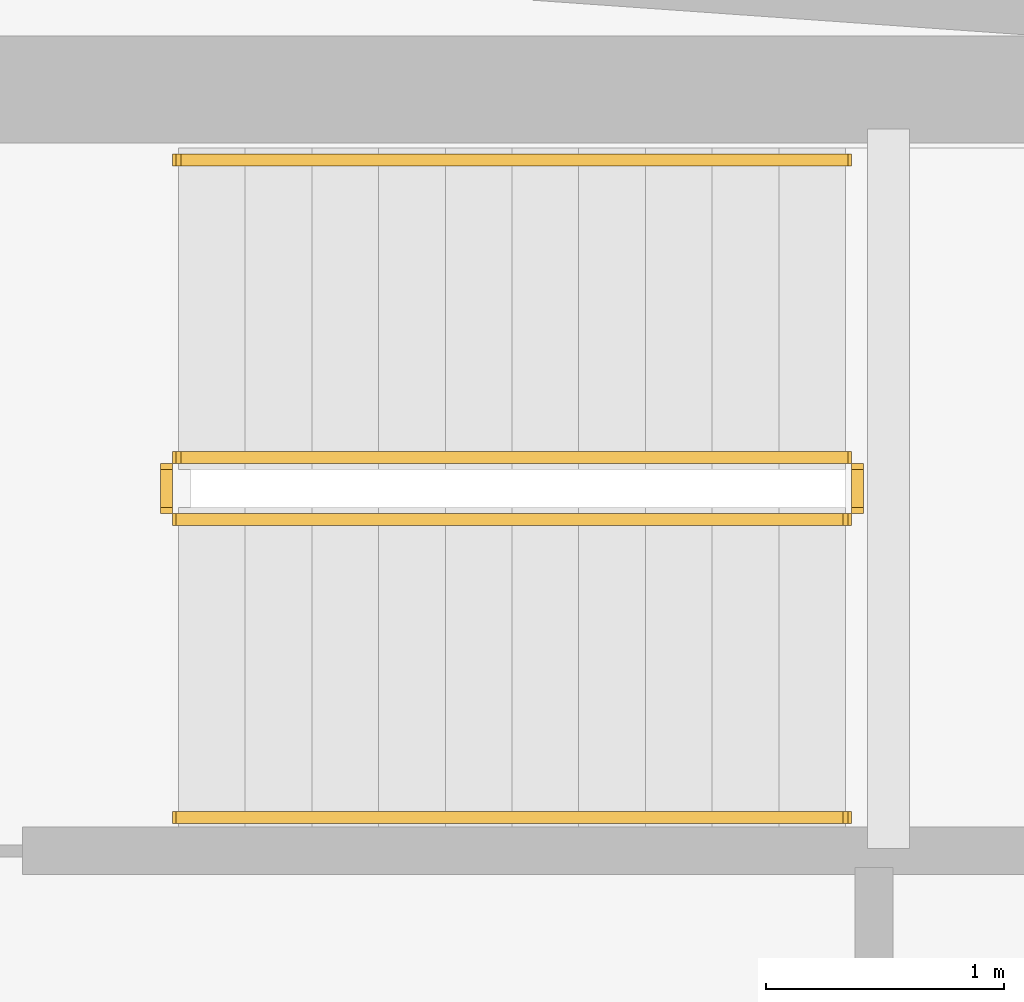
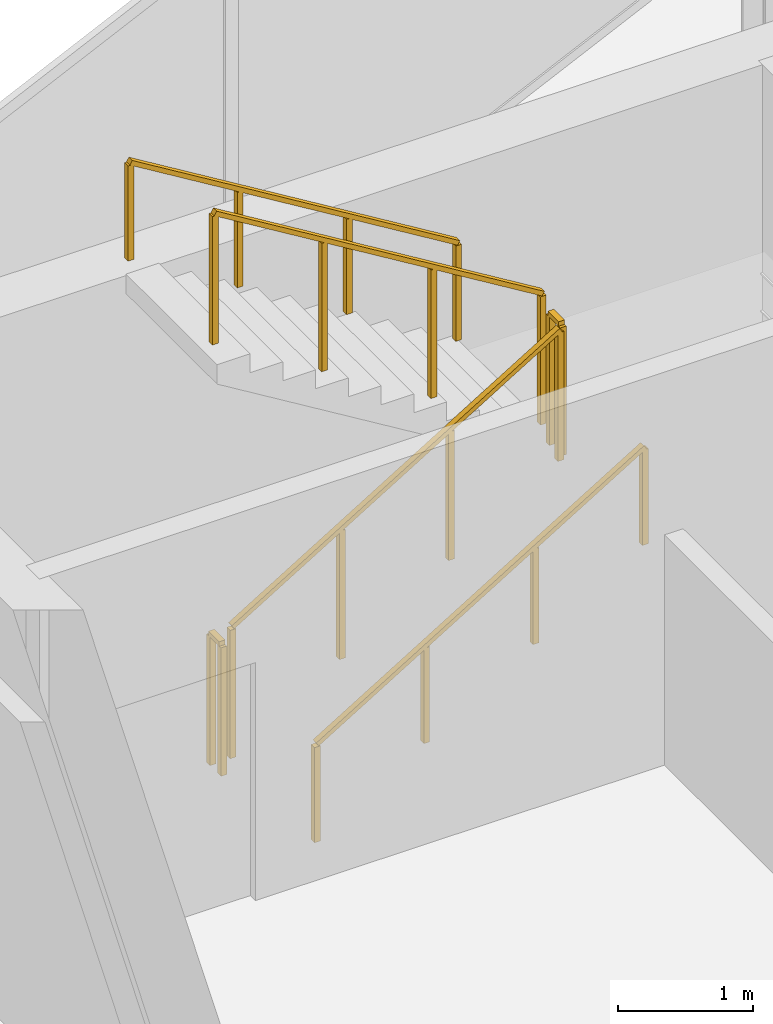
# One storey, part 14 of 14: 6 railings.
"""IFC4 building model written with IfcOpenShell, lengths in metres."""

from ifc_helpers import new_model, si_unit, direction, frame, origin, origin_2d, place, context, subcontext, project, spatial, rectangle, extrude, material, type_object, element, save


model = new_model("IFC4")

# Units and contexts
model_context = context("Model", 3, precision=1e-05, world=origin(), true_north=direction((0.0, 1.0)))
body_context = subcontext(model_context, "Body", "Model", "MODEL_VIEW")
ifc_project = project(units=[si_unit("LENGTHUNIT", "METRE"), si_unit("AREAUNIT", "SQUARE_METRE"), si_unit("VOLUMEUNIT", "CUBIC_METRE"), si_unit("PLANEANGLEUNIT", "RADIAN"), si_unit("MASSUNIT", "GRAM", prefix="KILO")], contexts=[model_context])

# Site, building, storey
site_placement = place(None, origin())
site = spatial("IfcSite", under=ifc_project, at=site_placement, CompositionType="ELEMENT")
building_placement = place(site_placement, origin())
building = spatial("IfcBuilding", under=site, at=building_placement, Name="Qianvela Tower", CompositionType="ELEMENT")
storey_placement = place(building_placement, frame((0.0, 0.0, 356.300048828125)))
storey = spatial("IfcBuildingStorey", under=building, at=storey_placement, Name="L92", CompositionType="ELEMENT", Elevation=356.300048828125)

# Railings
ifc_material_1 = material(Name="Painted Tubular Steel Q355B", Category="steel")
railing_type_1 = type_object("IfcRailingType", Name="RL-STAIR-GUARD-1200", PredefinedType="GUARDRAIL", material=ifc_material_1)
railing_1_placement = place(storey_placement, frame((32.199951171875, 30.840087890625, 0.17041015625)))
element("IfcRailing", 1, at=railing_1_placement, inside=storey, type_object=railing_type_1, Name="L92 ST-1 stair guard 1", PredefinedType="GUARDRAIL", context=body_context, shape_type="SweptSolid", body=[
    extrude(rectangle(XDim=0.050048828125, YDim=0.0400390625, at=origin_2d()), frame((0.0, 0.0, 1.179931640625), z_axis=(0.854169791009, 0.0, 0.51999420009), x_axis=(0.0, 1.0, 0.0)), (0.0, 0.0, 1.0), 3.278076171875),
    extrude(rectangle(XDim=0.050048828125, YDim=0.050048828125, at=origin_2d()), origin(), (0.0, 0.0, 1.0), 1.159912109375),
    extrude(rectangle(XDim=0.050048828125, YDim=0.050048828125, at=origin_2d()), frame((0.933349609375, 0.0, 0.568115234375)), (0.0, 0.0, 1.0), 1.159912109375),
    extrude(rectangle(XDim=0.050048828125, YDim=0.050048828125, at=origin_2d()), frame((1.86669921875, 0.0, 1.136474609375)), (0.0, 0.0, 1.0), 1.159912109375),
    extrude(rectangle(XDim=0.050048828125, YDim=0.050048828125, at=origin_2d()), frame((2.800048828125, 0.0, 1.70458984375)), (0.0, 0.0, 1.0), 1.159912109375),
])
railing_2_placement = place(storey_placement, frame((35.050048828125, 30.889892578125, 1.875)))
element("IfcRailing", 2, at=railing_2_placement, inside=storey, type_object=railing_type_1, Name="L92 ST-1 stair guard 2", PredefinedType="GUARDRAIL", context=body_context, shape_type="SweptSolid", body=[
    extrude(rectangle(XDim=0.050048828125, YDim=0.0400390625, at=origin_2d()), frame((0.0, 0.0, 1.179931640625), z_axis=(0.0, 1.0, 0.0), x_axis=(-1.0, 0.0, 0.0)), (0.0, 0.0, 1.0), 0.16015625),
    extrude(rectangle(XDim=0.050048828125, YDim=0.050048828125, at=origin_2d()), origin(), (0.0, 0.0, 1.0), 1.159912109375),
    extrude(rectangle(XDim=0.050048828125, YDim=0.050048828125, at=origin_2d()), frame((0.0, 0.16015625, 0.0)), (0.0, 0.0, 1.0), 1.159912109375),
])
railing_3_placement = place(storey_placement, frame((35.0, 31.10009765625, 2.04541015625)))
element("IfcRailing", 3, at=railing_3_placement, inside=storey, type_object=railing_type_1, Name="L92 ST-1 stair guard 3", PredefinedType="GUARDRAIL", context=body_context, shape_type="SweptSolid", body=[
    extrude(rectangle(XDim=0.050048828125, YDim=0.0400390625, at=origin_2d()), frame((0.0, 0.0, 1.179931640625), z_axis=(-0.854169791009, 0.0, 0.51999420009), x_axis=(0.0, -1.0, 0.0)), (0.0, 0.0, 1.0), 3.278076171875),
    extrude(rectangle(XDim=0.050048828125, YDim=0.050048828125, at=origin_2d()), origin(), (0.0, 0.0, 1.0), 1.159912109375),
    extrude(rectangle(XDim=0.050048828125, YDim=0.050048828125, at=origin_2d()), frame((-0.933349609375, 0.0, 0.568115234375)), (0.0, 0.0, 1.0), 1.159912109375),
    extrude(rectangle(XDim=0.050048828125, YDim=0.050048828125, at=origin_2d()), frame((-1.86669921875, 0.0, 1.136474609375)), (0.0, 0.0, 1.0), 1.159912109375),
    extrude(rectangle(XDim=0.050048828125, YDim=0.050048828125, at=origin_2d()), frame((-2.800048828125, 0.0, 1.70458984375)), (0.0, 0.0, 1.0), 1.159912109375),
])
railing_4_placement = place(storey_placement, frame((32.14990234375, 30.889892578125, 0.0)))
element("IfcRailing", 4, at=railing_4_placement, inside=storey, type_object=railing_type_1, Name="L92 ST-1 stair guard 4", PredefinedType="GUARDRAIL", context=body_context, shape_type="SweptSolid", body=[
    extrude(rectangle(XDim=0.050048828125, YDim=0.0400390625, at=origin_2d()), frame((0.0, 0.0, 1.179931640625), z_axis=(0.0, 1.0, 0.0), x_axis=(-1.0, 0.0, 0.0)), (0.0, 0.0, 1.0), 0.16015625),
    extrude(rectangle(XDim=0.050048828125, YDim=0.050048828125, at=origin_2d()), origin(), (0.0, 0.0, 1.0), 1.159912109375),
    extrude(rectangle(XDim=0.050048828125, YDim=0.050048828125, at=origin_2d()), frame((0.0, 0.16015625, 0.0)), (0.0, 0.0, 1.0), 1.159912109375),
])
ifc_material_2 = material(Name="Brushed Stainless Steel 304", Category="steel")
railing_type_2 = type_object("IfcRailingType", Name="RL-STAIR-HANDRAIL-900", PredefinedType="HANDRAIL", material=ifc_material_2)
railing_5_placement = place(storey_placement, frame((32.199951171875, 29.590087890625, 0.17041015625)))
element("IfcRailing", 5, at=railing_5_placement, inside=storey, type_object=railing_type_2, Name="L92 ST-1 stair handrail 1", PredefinedType="HANDRAIL", context=body_context, shape_type="SweptSolid", body=[
    extrude(rectangle(XDim=0.050048828125, YDim=0.0400390625, at=origin_2d()), frame((0.0, 0.0, 0.8798828125), z_axis=(0.854169791009, 0.0, 0.51999420009), x_axis=(0.0, 1.0, 0.0)), (0.0, 0.0, 1.0), 3.278076171875),
    extrude(rectangle(XDim=0.050048828125, YDim=0.050048828125, at=origin_2d()), origin(), (0.0, 0.0, 1.0), 0.85986328125),
    extrude(rectangle(XDim=0.050048828125, YDim=0.050048828125, at=origin_2d()), frame((0.933349609375, 0.0, 0.568115234375)), (0.0, 0.0, 1.0), 0.85986328125),
    extrude(rectangle(XDim=0.050048828125, YDim=0.050048828125, at=origin_2d()), frame((1.86669921875, 0.0, 1.136474609375)), (0.0, 0.0, 1.0), 0.85986328125),
    extrude(rectangle(XDim=0.050048828125, YDim=0.050048828125, at=origin_2d()), frame((2.800048828125, 0.0, 1.70458984375)), (0.0, 0.0, 1.0), 0.85986328125),
])
railing_6_placement = place(storey_placement, frame((35.0, 32.35009765625, 2.04541015625)))
element("IfcRailing", 6, at=railing_6_placement, inside=storey, type_object=railing_type_2, Name="L92 ST-1 stair handrail 2", PredefinedType="HANDRAIL", context=body_context, shape_type="SweptSolid", body=[
    extrude(rectangle(XDim=0.050048828125, YDim=0.0400390625, at=origin_2d()), frame((0.0, 0.0, 0.8798828125), z_axis=(-0.854169791009, 0.0, 0.51999420009), x_axis=(0.0, -1.0, 0.0)), (0.0, 0.0, 1.0), 3.278076171875),
    extrude(rectangle(XDim=0.050048828125, YDim=0.050048828125, at=origin_2d()), origin(), (0.0, 0.0, 1.0), 0.85986328125),
    extrude(rectangle(XDim=0.050048828125, YDim=0.050048828125, at=origin_2d()), frame((-0.933349609375, 0.0, 0.568115234375)), (0.0, 0.0, 1.0), 0.85986328125),
    extrude(rectangle(XDim=0.050048828125, YDim=0.050048828125, at=origin_2d()), frame((-1.86669921875, 0.0, 1.136474609375)), (0.0, 0.0, 1.0), 0.85986328125),
    extrude(rectangle(XDim=0.050048828125, YDim=0.050048828125, at=origin_2d()), frame((-2.800048828125, 0.0, 1.70458984375)), (0.0, 0.0, 1.0), 0.85986328125),
])

save(model, "model.ifc")
